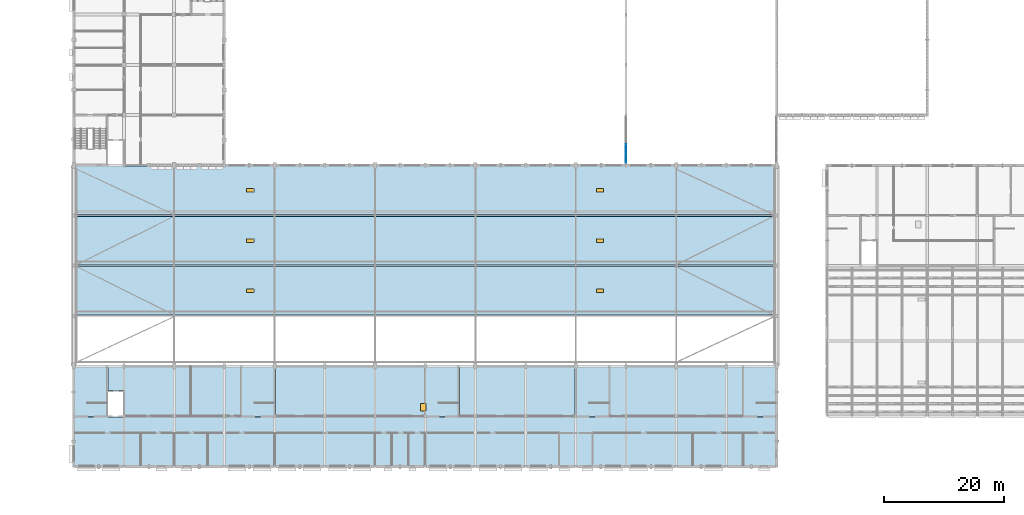
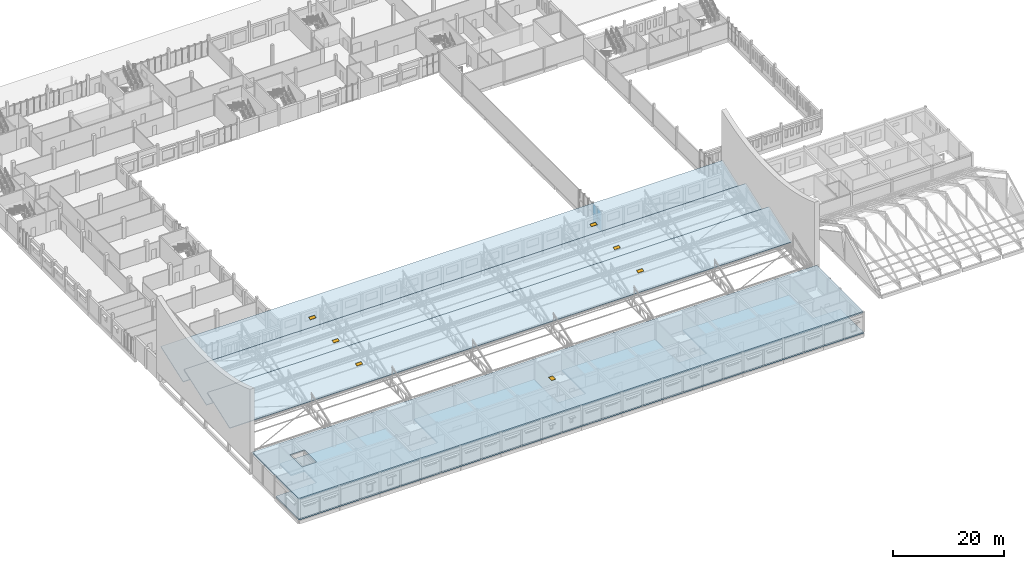
# One storey, part 63 of 101: 7 windows, 5 slabs, 4 plates, 7 openings, 1 element without a shape of its own.
"""IFC4 building model written with IfcOpenShell, lengths in metres."""

from ifc_helpers import new_model, si_unit, direction, frame, origin, origin_2d, place, context, subcontext, project, spatial, polyline, rectangle, outline, extrude, material, layer, layer_set, type_object, element, fill, aggregate, save


model = new_model("IFC4")

# Units and contexts
model_context = context("Model", 3, precision=1e-05, world=origin(), true_north=direction((0.0, 1.0)))
body_context = subcontext(model_context, "Body", "Model", "MODEL_VIEW")
ifc_project = project(units=[si_unit("LENGTHUNIT", "METRE"), si_unit("AREAUNIT", "SQUARE_METRE"), si_unit("VOLUMEUNIT", "CUBIC_METRE"), si_unit("PLANEANGLEUNIT", "RADIAN"), si_unit("MASSUNIT", "GRAM", prefix="KILO")], contexts=[model_context])

# Site, building, storey
site_placement = place(None, origin())
site = spatial("IfcSite", under=ifc_project, at=site_placement, CompositionType="ELEMENT")
building_placement = place(site_placement, origin())
building = spatial("IfcBuilding", under=site, at=building_placement, Name="Fescue Hill Polytechnic", CompositionType="ELEMENT")
storey_placement = place(building_placement, frame((0.0, 0.0, 9.0)))
storey = spatial("IfcBuildingStorey", under=building, at=storey_placement, Name="L02", CompositionType="ELEMENT", Elevation=9.0)

# Slab
ifc_material_1 = material(Name="Concrete 35 MPa", Category="concrete")
ifc_layer_1 = layer(ifc_material_1, 0.300048828125)
ifc_layer_set_1 = layer_set([ifc_layer_1], Name="Concrete 35 MPa")
slab_type_1 = type_object("IfcSlabType", Name="Floor slab 300", PredefinedType="FLOOR", material=ifc_layer_set_1)
slab_1_placement = place(storey_placement, frame((0.0, 0.0, -0.300048828125)))
element("IfcSlab", 1, at=slab_1_placement, inside=storey, type_object=slab_type_1, Name="SL-L02-V1-1", PredefinedType="FLOOR", context=body_context, shape_type="SweptSolid", body=[
    extrude(outline(polyline([(117.60009765625, 0.0), (0.0, 0.0), (0.0, 8.27490234375), (5.72509765625, 8.27490234375), (5.72509765625, 8.300048828125), (8.5, 8.300048828125), (8.5, 12.699951171875), (5.72509765625, 12.699951171875), (5.72509765625, 16.800048828125), (27.875, 16.800048828125), (27.875, 8.27490234375), (33.72509765625, 8.27490234375), (33.72509765625, 16.800048828125), (58.675048828125, 16.800048828125), (58.675048828125, 8.27490234375), (64.52490234375, 8.27490234375), (64.52490234375, 16.800048828125), (83.875, 16.800048828125), (83.875, 8.27490234375), (89.72509765625, 8.27490234375), (89.72509765625, 16.800048828125), (111.875, 16.800048828125), (111.875, 8.27490234375), (117.60009765625, 8.27490234375), (117.60009765625, 0.0)])), origin(), (0.0, 0.0, 1.0), 0.300048828125),
])

# Curtain wall, plates
ifc_material_2 = material(Name="Glass", Category="glass")
curtain_wall_type = type_object("IfcCurtainWallType", Name="Curtain wall structural glazing", PredefinedType="NOTDEFINED", material=ifc_material_2)
curtain_wall_placement = place(storey_placement, origin())
curtain_wall = element("IfcCurtainWall", 2, at=curtain_wall_placement, inside=storey, type_object=curtain_wall_type, Name="CW-L02-V6-1", PredefinedType="NOTDEFINED")
ifc_layer_2 = layer(ifc_material_2, 0.028076171875)
ifc_layer_set_2 = layer_set([ifc_layer_2], Name="Glass")
plate_type = type_object("IfcPlateType", Name="Panel glazing 28", PredefinedType="CURTAIN_PANEL", material=ifc_layer_set_2)
plate_1_placement = place(storey_placement, frame((92.39990234375, 53.139892578125, 0.06005859375), z_axis=(0.0, 0.0, 1.0), x_axis=(0.0, -1.0, 0.0)))
plate_1 = element("IfcPlate", 3, at=plate_1_placement, type_object=plate_type, Name="CW70 panel 4.1", PredefinedType="CURTAIN_PANEL", context=body_context, shape_type="SweptSolid", body=[
    extrude(rectangle(XDim=1.5, YDim=0.028076171875, at=origin_2d()), origin(), (0.0, 0.0, 1.0), 2.31005859375),
])
plate_2_placement = place(storey_placement, frame((92.39990234375, 53.139892578125, 2.43017578125), z_axis=(0.0, 0.0, 1.0), x_axis=(0.0, -1.0, 0.0)))
plate_2 = element("IfcPlate", 4, at=plate_2_placement, type_object=plate_type, Name="CW70 panel 4.2", PredefinedType="CURTAIN_PANEL", context=body_context, shape_type="SweptSolid", body=[
    extrude(rectangle(XDim=1.5, YDim=0.028076171875, at=origin_2d()), origin(), (0.0, 0.0, 1.0), 1.989990234375),
])
plate_3_placement = place(storey_placement, frame((92.39990234375, 51.594970703125, 0.06005859375), z_axis=(0.0, 0.0, 1.0), x_axis=(0.0, -1.0, 0.0)))
plate_3 = element("IfcPlate", 5, at=plate_3_placement, type_object=plate_type, Name="CW70 panel 5.1", PredefinedType="CURTAIN_PANEL", context=body_context, shape_type="SweptSolid", body=[
    extrude(rectangle(XDim=1.469970703125, YDim=0.028076171875, at=origin_2d()), origin(), (0.0, 0.0, 1.0), 2.31005859375),
])
plate_4_placement = place(storey_placement, frame((92.39990234375, 51.594970703125, 2.43017578125), z_axis=(0.0, 0.0, 1.0), x_axis=(0.0, -1.0, 0.0)))
plate_4 = element("IfcPlate", 6, at=plate_4_placement, type_object=plate_type, Name="CW70 panel 5.2", PredefinedType="CURTAIN_PANEL", context=body_context, shape_type="SweptSolid", body=[
    extrude(rectangle(XDim=1.469970703125, YDim=0.028076171875, at=origin_2d()), origin(), (0.0, 0.0, 1.0), 1.989990234375),
])
aggregate(curtain_wall, [plate_1, plate_2, plate_3, plate_4])

# Slab, opening, window
ifc_layer_3 = layer(ifc_material_1, 0.300048828125)
ifc_layer_set_3 = layer_set([ifc_layer_3], Name="Concrete 35 MPa")
slab_type_2 = type_object("IfcSlabType", Name="Roof slab 300", PredefinedType="ROOF", material=ifc_layer_set_3)
slab_2_placement = place(storey_placement, frame((0.0, 0.0, 4.199951171875)))
slab_2 = element("IfcSlab", 7, at=slab_2_placement, inside=storey, type_object=slab_type_2, Name="RF-L02-V1-1", PredefinedType="ROOF", context=body_context, shape_type="SweptSolid", body=[
    extrude(outline(polyline([(117.60009765625, 16.800048828125), (117.60009765625, 0.0), (0.0, 0.0), (0.0, 16.800048828125), (117.60009765625, 16.800048828125)]), holes=[polyline([(8.5, 12.699951171875), (5.5, 12.699951171875), (5.5, 8.300048828125), (8.5, 8.300048828125), (8.5, 12.699951171875)])]), origin(), (0.0, 0.0, 1.0), 0.300048828125),
])
opening_1_placement = place(slab_2_placement, frame((58.5, 9.89990234375, 0.0)))
opening_1 = element("IfcOpeningElement", 8, at=opening_1_placement, cuts=slab_2, Name="Opening WH1", PredefinedType="OPENING", context=body_context, shape_type="SweptSolid", body=[
    extrude(rectangle(XDim=0.89990234375, YDim=1.199951171875, at=origin_2d()), frame((0.0, 0.0, -0.010009765625)), (0.0, 0.0, 1.0), 0.320068359375),
])
ifc_material_3 = material(Name="Powder-coated aluminium and glass", Category="aluminium")
window_type_1 = type_object("IfcWindowType", Name="Roof access hatch 900x1200", PartitioningType="SINGLE_PANEL", PredefinedType="SKYLIGHT", material=ifc_material_3)
window_1_placement = place(opening_1_placement, frame((0.0, 0.0, 0.25)))
window_1 = element("IfcWindow", 9, at=window_1_placement, inside=storey, type_object=window_type_1, Name="HT-L02-V1-1", OverallHeight=1.199951171875, OverallWidth=0.89990234375, PartitioningType="SINGLE_PANEL", PredefinedType="SKYLIGHT", context=body_context, shape_type="SweptSolid", body=[
    extrude(rectangle(XDim=0.89990234375, YDim=1.199951171875, at=origin_2d()), origin(), (0.0, 0.0, 1.0), 0.050048828125),
])
fill(opening_1, window_1)

# Slab, openings, windows
ifc_material_4 = material(Name="Insulated steel deck on Steel 350W (350 MPa)", Category="steel")
ifc_layer_4 = layer(ifc_material_4, 0.199951171875)
ifc_layer_set_4 = layer_set([ifc_layer_4], Name="Insulated steel deck on Steel 350W (350 MPa)")
slab_type_3 = type_object("IfcSlabType", Name="Sawtooth roof deck 200", PredefinedType="ROOF", material=ifc_layer_set_4)
slab_3_placement = place(storey_placement, frame((0.25, 25.35009765625, 4.553466796875), z_axis=(0.0, -0.336365157698, 0.941731639421), x_axis=(1.0, 0.0, 0.0)))
slab_3 = element("IfcSlab", 10, at=slab_3_placement, inside=storey, type_object=slab_type_3, Name="Sawtooth roof 2", PredefinedType="ROOF", context=body_context, shape_type="SweptSolid", body=[
    extrude(outline(polyline([(0.0, 0.0), (117.10009765625, 0.0), (117.10009765625, 8.603872614370212), (0.0, 8.603872614370212), (0.0, 0.0)])), origin(), (0.0, 0.0, -1.0), 0.199951171875),
])
opening_2_placement = place(storey_placement, frame((29.5, 29.39990234375, 5.473388671875)))
opening_2 = element("IfcOpeningElement", 11, at=opening_2_placement, cuts=slab_3, Name="Opening WH3", PredefinedType="OPENING", context=body_context, shape_type="SweptSolid", body=[
    extrude(rectangle(XDim=1.239990234375, YDim=0.641845703125, at=origin_2d()), origin(), (0.0, 0.0, 1.0), 0.841064453125),
])
opening_3_placement = place(storey_placement, frame((88.050048828125, 29.39990234375, 5.473388671875)))
opening_3 = element("IfcOpeningElement", 12, at=opening_3_placement, cuts=slab_3, Name="Opening WH3", PredefinedType="OPENING", context=body_context, shape_type="SweptSolid", body=[
    extrude(rectangle(XDim=1.239990234375, YDim=0.641845703125, at=origin_2d()), origin(), (0.0, 0.0, 1.0), 0.841064453125),
])
window_type_2 = type_object("IfcWindowType", Name="Roof ventilator 1200x600", PartitioningType="SINGLE_PANEL", PredefinedType="SKYLIGHT", material=ifc_material_3)
window_2_placement = place(storey_placement, frame((29.5, 29.39990234375, 6.0), z_axis=(0.0, -0.336365157698, 0.941731639421), x_axis=(1.0, 0.0, 0.0)))
window_2 = element("IfcWindow", 13, at=window_2_placement, inside=storey, type_object=window_type_2, Name="RLT-L02-SR-ST2", OverallHeight=0.60009765625, OverallWidth=1.199951171875, PartitioningType="SINGLE_PANEL", PredefinedType="SKYLIGHT", context=body_context, shape_type="SweptSolid", body=[
    extrude(rectangle(XDim=1.199951171875, YDim=0.60009765625, at=origin_2d()), origin(), (0.0, 0.0, -1.0), 0.050048828125),
])
fill(opening_2, window_2)
window_3_placement = place(storey_placement, frame((88.050048828125, 29.39990234375, 6.0), z_axis=(0.0, -0.336365157698, 0.941731639421), x_axis=(1.0, 0.0, 0.0)))
window_3 = element("IfcWindow", 14, at=window_3_placement, inside=storey, type_object=window_type_2, Name="RLT-L02-SR-ST2-2", OverallHeight=0.60009765625, OverallWidth=1.199951171875, PartitioningType="SINGLE_PANEL", PredefinedType="SKYLIGHT", context=body_context, shape_type="SweptSolid", body=[
    extrude(rectangle(XDim=1.199951171875, YDim=0.60009765625, at=origin_2d()), origin(), (0.0, 0.0, -1.0), 0.050048828125),
])
fill(opening_3, window_3)

slab_4_placement = place(storey_placement, frame((0.25, 33.75, 4.553466796875), z_axis=(0.0, -0.336356169485, 0.941734849758), x_axis=(1.0, 0.0, 0.0)))
slab_4 = element("IfcSlab", 15, at=slab_4_placement, inside=storey, type_object=slab_type_3, Name="Sawtooth roof 3", PredefinedType="ROOF", context=body_context, shape_type="SweptSolid", body=[
    extrude(outline(polyline([(0.0, 0.0), (117.10009765625, 0.0), (117.10009765625, 8.604102529713133), (0.0, 8.604102529713133), (0.0, 0.0)])), origin(), (0.0, 0.0, -1.0), 0.199951171875),
])
opening_4_placement = place(storey_placement, frame((29.5, 37.800048828125, 5.473388671875)))
opening_4 = element("IfcOpeningElement", 16, at=opening_4_placement, cuts=slab_4, Name="Opening WH3", PredefinedType="OPENING", context=body_context, shape_type="SweptSolid", body=[
    extrude(rectangle(XDim=1.239990234375, YDim=0.641845703125, at=origin_2d()), origin(), (0.0, 0.0, 1.0), 0.841064453125),
])
opening_5_placement = place(storey_placement, frame((88.050048828125, 37.800048828125, 5.473388671875)))
opening_5 = element("IfcOpeningElement", 17, at=opening_5_placement, cuts=slab_4, Name="Opening WH3", PredefinedType="OPENING", context=body_context, shape_type="SweptSolid", body=[
    extrude(rectangle(XDim=1.239990234375, YDim=0.641845703125, at=origin_2d()), origin(), (0.0, 0.0, 1.0), 0.841064453125),
])
window_4_placement = place(storey_placement, frame((29.5, 37.800048828125, 6.0), z_axis=(0.0, -0.336356169485, 0.941734849758), x_axis=(1.0, 0.0, 0.0)))
window_4 = element("IfcWindow", 18, at=window_4_placement, inside=storey, type_object=window_type_2, Name="RLT-L02-SR-ST3", OverallHeight=0.60009765625, OverallWidth=1.199951171875, PartitioningType="SINGLE_PANEL", PredefinedType="SKYLIGHT", context=body_context, shape_type="SweptSolid", body=[
    extrude(rectangle(XDim=1.199951171875, YDim=0.60009765625, at=origin_2d()), origin(), (0.0, 0.0, -1.0), 0.050048828125),
])
fill(opening_4, window_4)
window_5_placement = place(storey_placement, frame((88.050048828125, 37.800048828125, 6.0), z_axis=(0.0, -0.336356169485, 0.941734849758), x_axis=(1.0, 0.0, 0.0)))
window_5 = element("IfcWindow", 19, at=window_5_placement, inside=storey, type_object=window_type_2, Name="RLT-L02-SR-ST3-2", OverallHeight=0.60009765625, OverallWidth=1.199951171875, PartitioningType="SINGLE_PANEL", PredefinedType="SKYLIGHT", context=body_context, shape_type="SweptSolid", body=[
    extrude(rectangle(XDim=1.199951171875, YDim=0.60009765625, at=origin_2d()), origin(), (0.0, 0.0, -1.0), 0.050048828125),
])
fill(opening_5, window_5)

slab_5_placement = place(storey_placement, frame((0.25, 42.14990234375, 4.553466796875), z_axis=(0.0, -0.336356169485, 0.941734849758), x_axis=(1.0, 0.0, 0.0)))
slab_5 = element("IfcSlab", 20, at=slab_5_placement, inside=storey, type_object=slab_type_3, Name="Sawtooth roof 4", PredefinedType="ROOF", context=body_context, shape_type="SweptSolid", body=[
    extrude(outline(polyline([(0.0, 0.0), (117.10009765625, 0.0), (117.10009765625, 8.604102529713133), (0.0, 8.604102529713133), (0.0, 0.0)])), origin(), (0.0, 0.0, -1.0), 0.199951171875),
])
opening_6_placement = place(storey_placement, frame((29.5, 46.199951171875, 5.473388671875)))
opening_6 = element("IfcOpeningElement", 21, at=opening_6_placement, cuts=slab_5, Name="Opening WH3", PredefinedType="OPENING", context=body_context, shape_type="SweptSolid", body=[
    extrude(rectangle(XDim=1.239990234375, YDim=0.641845703125, at=origin_2d()), origin(), (0.0, 0.0, 1.0), 0.841064453125),
])
opening_7_placement = place(storey_placement, frame((88.050048828125, 46.199951171875, 5.473388671875)))
opening_7 = element("IfcOpeningElement", 22, at=opening_7_placement, cuts=slab_5, Name="Opening WH3", PredefinedType="OPENING", context=body_context, shape_type="SweptSolid", body=[
    extrude(rectangle(XDim=1.239990234375, YDim=0.641845703125, at=origin_2d()), origin(), (0.0, 0.0, 1.0), 0.841064453125),
])
window_6_placement = place(storey_placement, frame((29.5, 46.199951171875, 6.0), z_axis=(0.0, -0.336356169485, 0.941734849758), x_axis=(1.0, 0.0, 0.0)))
window_6 = element("IfcWindow", 23, at=window_6_placement, inside=storey, type_object=window_type_2, Name="RLT-L02-SR-ST4", OverallHeight=0.60009765625, OverallWidth=1.199951171875, PartitioningType="SINGLE_PANEL", PredefinedType="SKYLIGHT", context=body_context, shape_type="SweptSolid", body=[
    extrude(rectangle(XDim=1.199951171875, YDim=0.60009765625, at=origin_2d()), origin(), (0.0, 0.0, -1.0), 0.050048828125),
])
fill(opening_6, window_6)
window_7_placement = place(storey_placement, frame((88.050048828125, 46.199951171875, 6.0), z_axis=(0.0, -0.336356169485, 0.941734849758), x_axis=(1.0, 0.0, 0.0)))
window_7 = element("IfcWindow", 24, at=window_7_placement, inside=storey, type_object=window_type_2, Name="RLT-L02-SR-ST4-2", OverallHeight=0.60009765625, OverallWidth=1.199951171875, PartitioningType="SINGLE_PANEL", PredefinedType="SKYLIGHT", context=body_context, shape_type="SweptSolid", body=[
    extrude(rectangle(XDim=1.199951171875, YDim=0.60009765625, at=origin_2d()), origin(), (0.0, 0.0, -1.0), 0.050048828125),
])
fill(opening_7, window_7)

save(model, "model.ifc")
